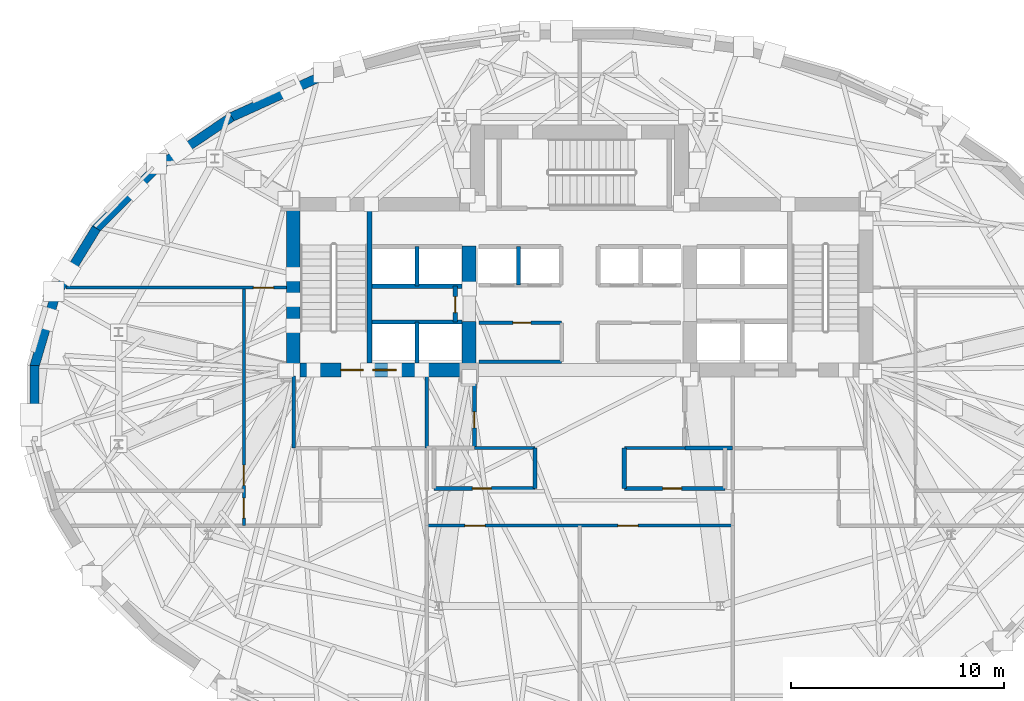
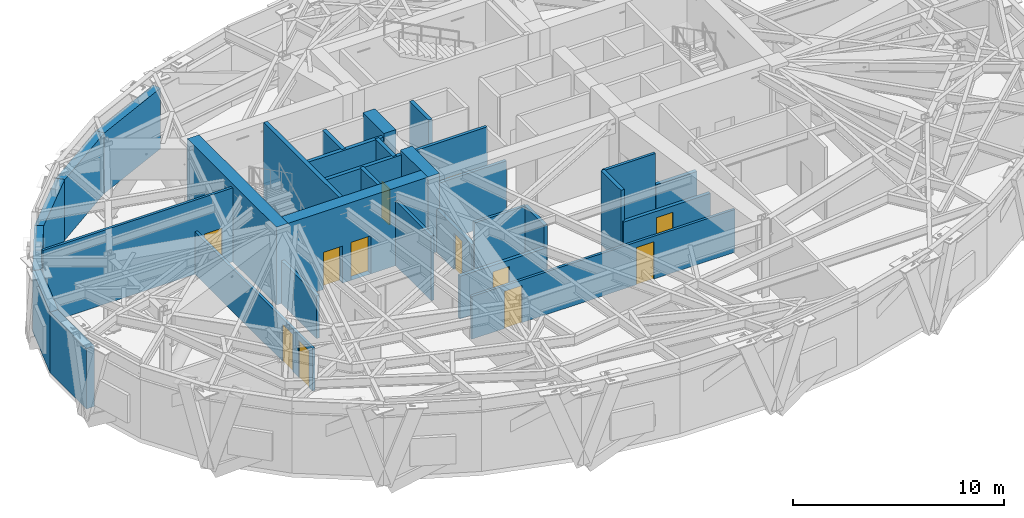
# One storey, part 7 of 13: 32 walls, 12 doors, 12 openings.
"""IFC4 building model written with IfcOpenShell, lengths in metres."""

from ifc_helpers import new_model, si_unit, direction, frame, frame_2d, origin, place, context, subcontext, project, spatial, rectangle, extrude, material, layer, layer_set, type_object, element, fill, save


model = new_model("IFC4")

# Units and contexts
model_context = context("Model", 3, precision=1e-05, world=origin(), true_north=direction((0.0, 1.0)))
body_context = subcontext(model_context, "Body", "Model", "MODEL_VIEW")
ifc_project = project(units=[si_unit("LENGTHUNIT", "METRE"), si_unit("AREAUNIT", "SQUARE_METRE"), si_unit("VOLUMEUNIT", "CUBIC_METRE"), si_unit("PLANEANGLEUNIT", "RADIAN"), si_unit("MASSUNIT", "GRAM", prefix="KILO")], contexts=[model_context])

# Site, building, storey
site_placement = place(None, origin())
site = spatial("IfcSite", under=ifc_project, at=site_placement, CompositionType="ELEMENT")
building_placement = place(site_placement, origin())
building = spatial("IfcBuilding", under=site, at=building_placement, Name="Keldmark Tower", CompositionType="ELEMENT")
storey_placement = place(building_placement, frame((0.0, 0.0, 135.10009765625)))
storey = spatial("IfcBuildingStorey", under=building, at=storey_placement, Name="L36", CompositionType="ELEMENT", Elevation=135.10009765625)

# Wall, openings, doors
ifc_material_1 = material(Name="Acoustic Double-Layer Gypsum Corridor Partition", Category="gypsum")
ifc_layer_1 = layer(ifc_material_1, 0.139892578125)
ifc_layer_set_1 = layer_set([ifc_layer_1], Name="Acoustic Double-Layer Gypsum Corridor Partition")
wall_type_1 = type_object("IfcWallType", Name="Acoustic Corridor Partition 140 mm", PredefinedType="PARTITIONING", material=ifc_layer_set_1)
wall_1_placement = place(storey_placement, frame((-7.199951171875, -5.800048828125, 0.0), z_axis=(0.0, 0.0, 1.0), x_axis=(1.0, 0.0, 0.0)))
wall_1 = element("IfcWall", 1, at=wall_1_placement, inside=storey, type_object=wall_type_1, Name="L36 Acoustic Corridor Partition 140 mm PCOR-CS", PredefinedType="PARTITIONING", context=body_context, shape_type="SweptSolid", body=[
    extrude(rectangle(XDim=14.39990234375, YDim=0.139892578125, at=frame_2d((7.199951171875, 0.0))), origin(), (0.0, 0.0, 1.0), 2.469970703125),
])
opening_1_placement = place(wall_1_placement, frame((1.800048828125, 0.0, 0.0)))
opening_1 = element("IfcOpeningElement", 2, at=opening_1_placement, cuts=wall_1, Name="Opening D-AWC95", PredefinedType="OPENING", context=body_context, shape_type="SweptSolid", body=[
    extrude(rectangle(XDim=0.949951171875, YDim=2.14990234375, at=frame_2d((0.47509765625, 1.074951171875))), frame((0.0, 0.079833984375, 0.0), z_axis=(0.0, -1.0, 0.0), x_axis=(1.0, 0.0, 0.0)), (0.0, 0.0, 1.0), 0.159912109375),
])
opening_2_placement = place(wall_1_placement, frame((9.0, 0.0, 0.0)))
opening_2 = element("IfcOpeningElement", 3, at=opening_2_placement, cuts=wall_1, Name="Opening D-AWC95", PredefinedType="OPENING", context=body_context, shape_type="SweptSolid", body=[
    extrude(rectangle(XDim=0.949951171875, YDim=2.14990234375, at=frame_2d((0.47509765625, 1.074951171875))), frame((0.0, 0.079833984375, 0.0), z_axis=(0.0, -1.0, 0.0), x_axis=(1.0, 0.0, 0.0)), (0.0, 0.0, 1.0), 0.159912109375),
])
ifc_material_2 = material(Name="Painted Solid-Core Architectural Wood", Category="wood")
door_type_1 = type_object("IfcDoorType", Name="Accessible WC Door 950x2150", OperationType="NOTDEFINED", PredefinedType="DOOR", material=ifc_material_2)
door_1_placement = place(opening_1_placement, origin())
door_1 = element("IfcDoor", 4, at=door_1_placement, inside=storey, type_object=door_type_1, Name="L36 Accessible WC Door 950x2150 D-PLSC1-L36", OperationType="SINGLE_SWING_LEFT", OverallHeight=2.14990234375, OverallWidth=0.949951171875, PredefinedType="DOOR", context=body_context, shape_type="SweptSolid", body=[
    extrude(rectangle(XDim=0.949951171875, YDim=2.14990234375, at=frame_2d((0.47509765625, 1.074951171875))), frame((0.0, 0.02490234375, 0.0), z_axis=(0.0, -1.0, 0.0), x_axis=(1.0, 0.0, 0.0)), (0.0, 0.0, 1.0), 0.050048828125),
])
fill(opening_1, door_1)
door_2_placement = place(opening_2_placement, origin())
door_2 = element("IfcDoor", 5, at=door_2_placement, inside=storey, type_object=door_type_1, Name="L36 Accessible WC Door 950x2150 D-PLSC2-L36", OperationType="SINGLE_SWING_RIGHT", OverallHeight=2.14990234375, OverallWidth=0.949951171875, PredefinedType="DOOR", context=body_context, shape_type="SweptSolid", body=[
    extrude(rectangle(XDim=0.949951171875, YDim=2.14990234375, at=frame_2d((0.47509765625, 1.074951171875))), frame((0.0, 0.02490234375, 0.0), z_axis=(0.0, -1.0, 0.0), x_axis=(1.0, 0.0, 0.0)), (0.0, 0.0, 1.0), 0.050048828125),
])
fill(opening_2, door_2)

wall_2_placement = place(storey_placement, frame((-15.800048828125, -5.800048828125, 0.0), z_axis=(0.0, 0.0, 1.0), x_axis=(0.0, 1.0, 0.0)))
wall_2 = element("IfcWall", 6, at=wall_2_placement, inside=storey, type_object=wall_type_1, Name="L36 Acoustic Corridor Partition 140 mm PCOR-W", PredefinedType="PARTITIONING", context=body_context, shape_type="SweptSolid", body=[
    extrude(rectangle(XDim=11.199951171875, YDim=0.139892578125, at=frame_2d((5.60009765625, 0.0))), origin(), (0.0, 0.0, 1.0), 2.469970703125),
])
opening_3_placement = place(wall_2_placement, frame((0.35009765625, 0.0, 0.0)))
opening_3 = element("IfcOpeningElement", 7, at=opening_3_placement, cuts=wall_2, Name="Opening D-AWC95", PredefinedType="OPENING", context=body_context, shape_type="SweptSolid", body=[
    extrude(rectangle(XDim=0.949951171875, YDim=2.14990234375, at=frame_2d((0.47509765625, 1.074951171875))), frame((0.0, 0.079833984375, 0.0), z_axis=(0.0, -1.0, 0.0), x_axis=(1.0, 0.0, 0.0)), (0.0, 0.0, 1.0), 0.159912109375),
])
opening_4_placement = place(wall_2_placement, frame((1.89990234375, 0.0, 0.0)))
opening_4 = element("IfcOpeningElement", 8, at=opening_4_placement, cuts=wall_2, Name="Opening D-AWC95", PredefinedType="OPENING", context=body_context, shape_type="SweptSolid", body=[
    extrude(rectangle(XDim=0.949951171875, YDim=2.14990234375, at=frame_2d((0.47509765625, 1.074951171875))), frame((0.0, 0.079833984375, 0.0), z_axis=(0.0, -1.0, 0.0), x_axis=(1.0, 0.0, 0.0)), (0.0, 0.0, 1.0), 0.159912109375),
])
door_3_placement = place(opening_3_placement, origin())
door_3 = element("IfcDoor", 9, at=door_3_placement, inside=storey, type_object=door_type_1, Name="L36 Accessible WC Door 950x2150 D-PLW1-L36", OperationType="SINGLE_SWING_LEFT", OverallHeight=2.14990234375, OverallWidth=0.949951171875, PredefinedType="DOOR", context=body_context, shape_type="SweptSolid", body=[
    extrude(rectangle(XDim=0.949951171875, YDim=2.14990234375, at=frame_2d((0.47509765625, 1.074951171875))), frame((0.0, 0.02490234375, 0.0), z_axis=(0.0, -1.0, 0.0), x_axis=(1.0, 0.0, 0.0)), (0.0, 0.0, 1.0), 0.050048828125),
])
fill(opening_3, door_3)
door_4_placement = place(opening_4_placement, origin())
door_4 = element("IfcDoor", 10, at=door_4_placement, inside=storey, type_object=door_type_1, Name="L36 Accessible WC Door 950x2150 D-PLW2-L36", OperationType="SINGLE_SWING_RIGHT", OverallHeight=2.14990234375, OverallWidth=0.949951171875, PredefinedType="DOOR", context=body_context, shape_type="SweptSolid", body=[
    extrude(rectangle(XDim=0.949951171875, YDim=2.14990234375, at=frame_2d((0.47509765625, 1.074951171875))), frame((0.0, 0.02490234375, 0.0), z_axis=(0.0, -1.0, 0.0), x_axis=(1.0, 0.0, 0.0)), (0.0, 0.0, 1.0), 0.050048828125),
])
fill(opening_4, door_4)

# Wall, opening, door
wall_3_placement = place(storey_placement, frame((-24.18115234375, 5.39990234375, 0.0), z_axis=(0.0, 0.0, 1.0), x_axis=(1.0, 0.0, 0.0)))
wall_3 = element("IfcWall", 11, at=wall_3_placement, inside=storey, type_object=wall_type_1, Name="L36 Acoustic Corridor Partition 140 mm PCOR-WN", PredefinedType="PARTITIONING", context=body_context, shape_type="SweptSolid", body=[
    extrude(rectangle(XDim=10.381103515625, YDim=0.139892578125, at=frame_2d((5.1904296875, 0.0))), origin(), (0.0, 0.0, 1.0), 4.27978515625),
])
opening_5_placement = place(wall_3_placement, frame((8.831298828125, 0.0, 0.0)))
opening_5 = element("IfcOpeningElement", 12, at=opening_5_placement, cuts=wall_3, Name="Opening D-AWC95", PredefinedType="OPENING", context=body_context, shape_type="SweptSolid", body=[
    extrude(rectangle(XDim=0.949951171875, YDim=2.14990234375, at=frame_2d((0.47509765625, 1.074951171875))), frame((0.0, 0.079833984375, 0.0), z_axis=(0.0, -1.0, 0.0), x_axis=(1.0, 0.0, 0.0)), (0.0, 0.0, 1.0), 0.159912109375),
])
door_5_placement = place(opening_5_placement, origin())
door_5 = element("IfcDoor", 13, at=door_5_placement, inside=storey, type_object=door_type_1, Name="L36 Accessible WC Door 950x2150 D-NRNW-L36", OperationType="SINGLE_SWING_LEFT", OverallHeight=2.14990234375, OverallWidth=0.949951171875, PredefinedType="DOOR", context=body_context, shape_type="SweptSolid", body=[
    extrude(rectangle(XDim=0.949951171875, YDim=2.14990234375, at=frame_2d((0.47509765625, 1.074951171875))), frame((0.0, 0.02490234375, 0.0), z_axis=(0.0, -1.0, 0.0), x_axis=(1.0, 0.0, 0.0)), (0.0, 0.0, 1.0), 0.050048828125),
])
fill(opening_5, door_5)

ifc_material_3 = material(Name="Heavy Acoustic Plumbing Chase Gypsum Assembly", Category="gypsum")
ifc_layer_2 = layer(ifc_material_3, 0.18994140625)
ifc_layer_set_2 = layer_set([ifc_layer_2], Name="Heavy Acoustic Plumbing Chase Gypsum Assembly")
wall_type_2 = type_object("IfcWallType", Name="Heavy Wet Wall 190 mm", PredefinedType="PLUMBINGWALL", material=ifc_layer_set_2)
wall_4_placement = place(storey_placement, frame((-6.85009765625, -4.050048828125, 0.0), z_axis=(0.0, 0.0, 1.0), x_axis=(1.0, 0.0, 0.0)))
wall_4 = element("IfcWall", 14, at=wall_4_placement, inside=storey, type_object=wall_type_2, Name="L36 Heavy Wet Wall 190 mm SPK-W-S", PredefinedType="PLUMBINGWALL", context=body_context, shape_type="SweptSolid", body=[
    extrude(rectangle(XDim=4.75, YDim=0.18994140625, at=frame_2d((2.375, 0.0))), origin(), (0.0, 0.0, 1.0), 2.469970703125),
])
opening_6_placement = place(wall_4_placement, frame((1.800048828125, 0.0, 0.0)))
opening_6 = element("IfcOpeningElement", 15, at=opening_6_placement, cuts=wall_4, Name="Opening D-IN090", PredefinedType="OPENING", context=body_context, shape_type="SweptSolid", body=[
    extrude(rectangle(XDim=0.89990234375, YDim=2.10009765625, at=frame_2d((0.449951171875, 1.050048828125))), frame((0.0, 0.10498046875, 0.0), z_axis=(0.0, -1.0, 0.0), x_axis=(1.0, 0.0, 0.0)), (0.0, 0.0, 1.0), 0.2099609375),
])
ifc_material_4 = material(Name="Stained American White Oak Veneer", Category="wood")
door_type_2 = type_object("IfcDoorType", Name="Interior Door 900x2100", OperationType="NOTDEFINED", PredefinedType="DOOR", material=ifc_material_4)
door_6_placement = place(opening_6_placement, origin())
door_6 = element("IfcDoor", 16, at=door_6_placement, inside=storey, type_object=door_type_2, Name="L36 Interior Door 900x2100 D-SPKW1-L36", OperationType="SINGLE_SWING_LEFT", OverallHeight=2.10009765625, OverallWidth=0.89990234375, PredefinedType="DOOR", context=body_context, shape_type="SweptSolid", body=[
    extrude(rectangle(XDim=0.89990234375, YDim=2.10009765625, at=frame_2d((0.449951171875, 1.050048828125))), frame((0.0, 0.02490234375, 0.0), z_axis=(0.0, -1.0, 0.0), x_axis=(1.0, 0.0, 0.0)), (0.0, 0.0, 1.0), 0.050048828125),
])
fill(opening_6, door_6)

# Wall
wall_5_placement = place(storey_placement, frame((-2.10009765625, -4.050048828125, 0.0), z_axis=(0.0, 0.0, 1.0), x_axis=(0.0, 1.0, 0.0)))
element("IfcWall", 17, at=wall_5_placement, inside=storey, type_object=wall_type_2, Name="L36 Heavy Wet Wall 190 mm SPK-W-E", PredefinedType="PLUMBINGWALL", context=body_context, shape_type="SweptSolid", body=[
    extrude(rectangle(XDim=1.900146484375, YDim=0.18994140625, at=frame_2d((0.9501953125, 0.0))), origin(), (0.0, 0.0, 1.0), 3.73291015625),
])

# Wall, opening, door
wall_6_placement = place(storey_placement, frame((2.10009765625, -4.050048828125, 0.0), z_axis=(0.0, 0.0, 1.0), x_axis=(1.0, 0.0, 0.0)))
wall_6 = element("IfcWall", 18, at=wall_6_placement, inside=storey, type_object=wall_type_2, Name="L36 Heavy Wet Wall 190 mm SPK-E-S", PredefinedType="PLUMBINGWALL", context=body_context, shape_type="SweptSolid", body=[
    extrude(rectangle(XDim=4.75, YDim=0.18994140625, at=frame_2d((2.375, 0.0))), origin(), (0.0, 0.0, 1.0), 2.469970703125),
])
opening_7_placement = place(wall_6_placement, frame((1.800048828125, 0.0, 0.0)))
opening_7 = element("IfcOpeningElement", 19, at=opening_7_placement, cuts=wall_6, Name="Opening D-IN090", PredefinedType="OPENING", context=body_context, shape_type="SweptSolid", body=[
    extrude(rectangle(XDim=0.89990234375, YDim=2.10009765625, at=frame_2d((0.449951171875, 1.050048828125))), frame((0.0, 0.10498046875, 0.0), z_axis=(0.0, -1.0, 0.0), x_axis=(1.0, 0.0, 0.0)), (0.0, 0.0, 1.0), 0.2099609375),
])
door_7_placement = place(opening_7_placement, origin())
door_7 = element("IfcDoor", 20, at=door_7_placement, inside=storey, type_object=door_type_2, Name="L36 Interior Door 900x2100 D-SPKE1-L36", OperationType="SINGLE_SWING_RIGHT", OverallHeight=2.10009765625, OverallWidth=0.89990234375, PredefinedType="DOOR", context=body_context, shape_type="SweptSolid", body=[
    extrude(rectangle(XDim=0.89990234375, YDim=2.10009765625, at=frame_2d((0.449951171875, 1.050048828125))), frame((0.0, 0.02490234375, 0.0), z_axis=(0.0, -1.0, 0.0), x_axis=(1.0, 0.0, 0.0)), (0.0, 0.0, 1.0), 0.050048828125),
])
fill(opening_7, door_7)

# Walls
wall_7_placement = place(storey_placement, frame((2.10009765625, -4.050048828125, 0.0), z_axis=(0.0, 0.0, 1.0), x_axis=(0.0, 1.0, 0.0)))
element("IfcWall", 21, at=wall_7_placement, inside=storey, type_object=wall_type_2, Name="L36 Heavy Wet Wall 190 mm SPK-E-W", PredefinedType="PLUMBINGWALL", context=body_context, shape_type="SweptSolid", body=[
    extrude(rectangle(XDim=1.900146484375, YDim=0.18994140625, at=frame_2d((0.9501953125, 0.0))), origin(), (0.0, 0.0, 1.0), 4.27978515625),
])
ifc_material_5 = material(Name="Type X Fire-Rated Gypsum Partition Assembly", Category="gypsum")
ifc_layer_3 = layer(ifc_material_5, 0.1650390625)
ifc_layer_set_3 = layer_set([ifc_layer_3], Name="Type X Fire-Rated Gypsum Partition Assembly")
wall_type_3 = type_object("IfcWallType", Name="Rated Partition 165 mm", PredefinedType="PARTITIONING", material=ifc_layer_set_3)
wall_8_placement = place(storey_placement, frame((-13.449951171875, -2.14990234375, 0.0), z_axis=(0.0, 0.0, 1.0), x_axis=(0.0, 1.0, 0.0)))
element("IfcWall", 22, at=wall_8_placement, inside=storey, type_object=wall_type_3, Name="L36 Rated Partition 165 mm FSAE-W-W", PredefinedType="PARTITIONING", context=body_context, shape_type="SweptSolid", body=[
    extrude(rectangle(XDim=3.39990234375, YDim=0.1650390625, at=frame_2d((1.699951171875, 0.0))), origin(), (0.0, 0.0, 1.0), 2.469970703125),
])
wall_9_placement = place(storey_placement, frame((-7.199951171875, -2.14990234375, 0.0), z_axis=(0.0, 0.0, 1.0), x_axis=(0.0, 1.0, 0.0)))
element("IfcWall", 23, at=wall_9_placement, inside=storey, type_object=wall_type_3, Name="L36 Rated Partition 165 mm FSAE-W-E", PredefinedType="PARTITIONING", context=body_context, shape_type="SweptSolid", body=[
    extrude(rectangle(XDim=3.39990234375, YDim=0.1650390625, at=frame_2d((1.699951171875, 0.0))), origin(), (0.0, 0.0, 1.0), 3.73291015625),
])
wall_10_placement = place(storey_placement, frame((-4.739990234375, 1.919921875, 0.0), z_axis=(0.0, 0.0, 1.0), x_axis=(1.0, 0.0, 0.0)))
element("IfcWall", 24, at=wall_10_placement, inside=storey, type_object=wall_type_3, Name="L36 Rated Partition 165 mm REC-LW-S", PredefinedType="PARTITIONING", context=body_context, shape_type="SweptSolid", body=[
    extrude(rectangle(XDim=3.889892578125, YDim=0.1650390625, at=frame_2d((1.94482421875, 0.0))), origin(), (0.0, 0.0, 1.0), 3.419921875),
])

# Wall, opening, door
wall_11_placement = place(storey_placement, frame((-4.739990234375, 3.739990234375, 0.0), z_axis=(0.0, 0.0, 1.0), x_axis=(1.0, 0.0, 0.0)))
wall_11 = element("IfcWall", 25, at=wall_11_placement, inside=storey, type_object=wall_type_3, Name="L36 Rated Partition 165 mm REC-LW-N", PredefinedType="PARTITIONING", context=body_context, shape_type="SweptSolid", body=[
    extrude(rectangle(XDim=3.889892578125, YDim=0.1650390625, at=frame_2d((1.94482421875, 0.0))), origin(), (0.0, 0.0, 1.0), 4.27978515625),
])
opening_8_placement = place(wall_11_placement, frame((1.60009765625, 0.0, 0.0)))
opening_8 = element("IfcOpeningElement", 26, at=opening_8_placement, cuts=wall_11, Name="Opening D-SV085", PredefinedType="OPENING", context=body_context, shape_type="SweptSolid", body=[
    extrude(rectangle(XDim=0.85009765625, YDim=2.10009765625, at=frame_2d((0.425048828125, 1.050048828125))), frame((0.0, 0.092529296875, 0.0), z_axis=(0.0, -1.0, 0.0), x_axis=(1.0, 0.0, 0.0)), (0.0, 0.0, 1.0), 0.18505859375),
])
ifc_material_6 = material(Name="Painted Hollow Metal Door Assembly", Category="metal")
door_type_3 = type_object("IfcDoorType", Name="Service Door 850x2100", OperationType="NOTDEFINED", PredefinedType="DOOR", material=ifc_material_6)
door_8_placement = place(opening_8_placement, origin())
door_8 = element("IfcDoor", 27, at=door_8_placement, inside=storey, type_object=door_type_3, Name="L36 Service Door 850x2100 D-RECLW1-L36", OperationType="SINGLE_SWING_LEFT", OverallHeight=2.10009765625, OverallWidth=0.85009765625, PredefinedType="DOOR", context=body_context, shape_type="SweptSolid", body=[
    extrude(rectangle(XDim=0.85009765625, YDim=2.10009765625, at=frame_2d((0.425048828125, 1.050048828125))), frame((0.0, 0.02490234375, 0.0), z_axis=(0.0, -1.0, 0.0), x_axis=(1.0, 0.0, 0.0)), (0.0, 0.0, 1.0), 0.050048828125),
])
fill(opening_8, door_8)

ifc_material_7 = material(Name="Fire-Resistant Type X Gypsum Shaftliner Coreboard", Category="gypsum")
ifc_layer_4 = layer(ifc_material_7, 0.199951171875)
ifc_layer_set_4 = layer_set([ifc_layer_4], Name="Fire-Resistant Type X Gypsum Shaftliner Coreboard")
wall_type_4 = type_object("IfcWallType", Name="Shaft Wall 200 mm", PredefinedType="SOLIDWALL", material=ifc_layer_set_4)
wall_12_placement = place(storey_placement, frame((-4.949951171875, -2.14990234375, 0.0), z_axis=(0.0, 0.0, 1.0), x_axis=(0.0, 1.0, 0.0)))
wall_12 = element("IfcWall", 28, at=wall_12_placement, inside=storey, type_object=wall_type_4, Name="L36 Shaft Wall 200 mm RIS-SW-E", PredefinedType="SOLIDWALL", context=body_context, shape_type="SweptSolid", body=[
    extrude(rectangle(XDim=3.39990234375, YDim=0.199951171875, at=frame_2d((1.699951171875, 0.0))), origin(), (0.0, 0.0, 1.0), 2.469970703125),
])
opening_9_placement = place(wall_12_placement, frame((0.949951171875, 0.0, 0.0)))
opening_9 = element("IfcOpeningElement", 29, at=opening_9_placement, cuts=wall_12, Name="Opening D-RS075", PredefinedType="OPENING", context=body_context, shape_type="SweptSolid", body=[
    extrude(rectangle(XDim=0.75, YDim=2.10009765625, at=frame_2d((0.375, 1.050048828125))), frame((0.0, 0.10986328125, 0.0), z_axis=(0.0, -1.0, 0.0), x_axis=(1.0, 0.0, 0.0)), (0.0, 0.0, 1.0), 0.219970703125),
])
ifc_material_8 = material(Name="Galvanized Fire-Rated Access Leaf", Category="metal")
door_type_4 = type_object("IfcDoorType", Name="Riser Access Door 750x2100", OperationType="NOTDEFINED", PredefinedType="DOOR", material=ifc_material_8)
door_9_placement = place(opening_9_placement, origin())
door_9 = element("IfcDoor", 30, at=door_9_placement, inside=storey, type_object=door_type_4, Name="L36 Riser Access Door 750x2100 D-RISSW-L36", OperationType="SINGLE_SWING_RIGHT", OverallHeight=2.10009765625, OverallWidth=0.75, PredefinedType="DOOR", context=body_context, shape_type="SweptSolid", body=[
    extrude(rectangle(XDim=0.75, YDim=2.10009765625, at=frame_2d((0.375, 1.050048828125))), frame((0.0, 0.02490234375, 0.0), z_axis=(0.0, -1.0, 0.0), x_axis=(1.0, 0.0, 0.0)), (0.0, 0.0, 1.0), 0.050048828125),
])
fill(opening_9, door_9)

# Walls
wall_13_placement = place(storey_placement, frame((4.949951171875, -2.14990234375, 0.0), z_axis=(0.0, 0.0, 1.0), x_axis=(1.0, 0.0, 0.0)))
element("IfcWall", 31, at=wall_13_placement, inside=storey, type_object=wall_type_4, Name="L36 Shaft Wall 200 mm RIS-SE-S", PredefinedType="SOLIDWALL", context=body_context, shape_type="SweptSolid", body=[
    extrude(rectangle(XDim=2.25, YDim=0.199951171875, at=frame_2d((1.125, 0.0))), origin(), (0.0, 0.0, 1.0), 2.469970703125),
])
wall_14_placement = place(storey_placement, frame((-9.780029296875, 3.780029296875, 0.0), z_axis=(0.0, 0.0, 1.0), x_axis=(1.0, 0.0, 0.0)))
element("IfcWall", 32, at=wall_14_placement, inside=storey, type_object=wall_type_4, Name="L36 Shaft Wall 200 mm HW-W-S", PredefinedType="SOLIDWALL", context=body_context, shape_type="SweptSolid", body=[
    extrude(rectangle(XDim=4.255126953125, YDim=0.199951171875, at=frame_2d((2.12744140625, 0.0))), origin(), (0.0, 0.0, 1.0), 4.27978515625),
])
wall_15_placement = place(storey_placement, frame((-7.64990234375, 1.85009765625, 0.0), z_axis=(0.0, 0.0, 1.0), x_axis=(0.0, 1.0, 0.0)))
element("IfcWall", 33, at=wall_15_placement, inside=storey, type_object=wall_type_4, Name="L36 Shaft Wall 200 mm HW-W-M", PredefinedType="SOLIDWALL", context=body_context, shape_type="SweptSolid", body=[
    extrude(rectangle(XDim=1.929931640625, YDim=0.199951171875, at=frame_2d((0.96484375, 0.0))), origin(), (0.0, 0.0, 1.0), 4.27978515625),
])
wall_16_placement = place(storey_placement, frame((-9.780029296875, 5.469970703125, 0.0), z_axis=(0.0, 0.0, 1.0), x_axis=(1.0, 0.0, 0.0)))
element("IfcWall", 34, at=wall_16_placement, inside=storey, type_object=wall_type_4, Name="L36 Shaft Wall 200 mm HW-W-N", PredefinedType="SOLIDWALL", context=body_context, shape_type="SweptSolid", body=[
    extrude(rectangle(XDim=4.255126953125, YDim=0.199951171875, at=frame_2d((2.12744140625, 0.0))), origin(), (0.0, 0.0, 1.0), 4.27978515625),
])
wall_17_placement = place(storey_placement, frame((-7.64990234375, 5.469970703125, 0.0), z_axis=(0.0, 0.0, 1.0), x_axis=(0.0, 1.0, 0.0)))
element("IfcWall", 35, at=wall_17_placement, inside=storey, type_object=wall_type_4, Name="L36 Shaft Wall 200 mm HW-W-NM", PredefinedType="SOLIDWALL", context=body_context, shape_type="SweptSolid", body=[
    extrude(rectangle(XDim=1.860107421875, YDim=0.199951171875, at=frame_2d((0.93017578125, 0.0))), origin(), (0.0, 0.0, 1.0), 4.27978515625),
])

# Wall, opening, door
wall_18_placement = place(storey_placement, frame((-5.85009765625, 3.780029296875, 0.0), z_axis=(0.0, 0.0, 1.0), x_axis=(0.0, 1.0, 0.0)))
wall_18 = element("IfcWall", 36, at=wall_18_placement, inside=storey, type_object=wall_type_4, Name="L36 Shaft Wall 200 mm HW-W-CLOSE", PredefinedType="SOLIDWALL", context=body_context, shape_type="SweptSolid", body=[
    extrude(rectangle(XDim=1.68994140625, YDim=0.199951171875, at=frame_2d((0.844970703125, 0.0))), origin(), (0.0, 0.0, 1.0), 4.27978515625),
])
opening_10_placement = place(wall_18_placement, frame((0.449951171875, 0.0, 0.0)))
opening_10 = element("IfcOpeningElement", 37, at=opening_10_placement, cuts=wall_18, Name="Opening D-RS075", PredefinedType="OPENING", context=body_context, shape_type="SweptSolid", body=[
    extrude(rectangle(XDim=0.75, YDim=2.10009765625, at=frame_2d((0.375, 1.050048828125))), frame((0.0, 0.10986328125, 0.0), z_axis=(0.0, -1.0, 0.0), x_axis=(1.0, 0.0, 0.0)), (0.0, 0.0, 1.0), 0.219970703125),
])
door_10_placement = place(opening_10_placement, origin())
door_10 = element("IfcDoor", 38, at=door_10_placement, inside=storey, type_object=door_type_4, Name="L36 Riser Access Door 750x2100 D-RISHW-L36", OperationType="SINGLE_SWING_RIGHT", OverallHeight=2.10009765625, OverallWidth=0.75, PredefinedType="DOOR", context=body_context, shape_type="SweptSolid", body=[
    extrude(rectangle(XDim=0.75, YDim=2.10009765625, at=frame_2d((0.375, 1.050048828125))), frame((0.0, 0.02490234375, 0.0), z_axis=(0.0, -1.0, 0.0), x_axis=(1.0, 0.0, 0.0)), (0.0, 0.0, 1.0), 0.050048828125),
])
fill(opening_10, door_10)

# Walls
wall_19_placement = place(storey_placement, frame((-2.8798828125, 5.52001953125, 0.0), z_axis=(0.0, 0.0, 1.0), x_axis=(0.0, 1.0, 0.0)))
element("IfcWall", 39, at=wall_19_placement, inside=storey, type_object=wall_type_4, Name="L36 Shaft Wall 200 mm MID-M-W", PredefinedType="SOLIDWALL", context=body_context, shape_type="SweptSolid", body=[
    extrude(rectangle(XDim=1.81005859375, YDim=0.199951171875, at=frame_2d((0.905029296875, 0.0))), origin(), (0.0, 0.0, 1.0), 4.27978515625),
])
ifc_material_9 = material(Name="Concrete C50/60", Category="concrete")
ifc_layer_5 = layer(ifc_material_9, 0.219970703125)
ifc_layer_set_5 = layer_set([ifc_layer_5], Name="Concrete C50/60")
wall_type_5 = type_object("IfcWallType", Name="Stair Core Shear Wall 220 mm", PredefinedType="SHEAR", material=ifc_layer_set_5)
wall_20_placement = place(storey_placement, frame((-9.889892578125, 1.85009765625, 0.0), z_axis=(0.0, 0.0, 1.0), x_axis=(0.0, 1.0, 0.0)))
element("IfcWall", 40, at=wall_20_placement, inside=storey, type_object=wall_type_5, Name="L36 West Stair Core Shear Wall", PredefinedType="SHEAR", context=body_context, shape_type="SweptSolid", body=[
    extrude(rectangle(XDim=7.14990234375, YDim=0.219970703125, at=frame_2d((3.574951171875, 0.0))), origin(), (0.0, 0.0, 1.0), 4.5),
])
ifc_material_10 = material(Name="Ironspot Manganese Brick and Kasota Buff Limestone Spandrel Assembly", Category="masonry")
ifc_layer_6 = layer(ifc_material_10, 0.43994140625)
ifc_layer_set_6 = layer_set([ifc_layer_6], Name="Ironspot Manganese Brick and Kasota Buff Limestone Spandrel Assembly")
wall_type_6 = type_object("IfcWallType", Name="Tower Brick Pier and Spandrel Wall 440 mm", PredefinedType="STANDARD", material=ifc_layer_set_6)
wall_21_placement = place(storey_placement, frame((-16.4033203125, 13.419921875, 0.0), z_axis=(0.0, 0.0, 1.0), x_axis=(0.910938924115, 0.412541242221, 0.0)))
element("IfcWall", 41, at=wall_21_placement, inside=storey, type_object=wall_type_6, Name="L36 Exterior Brick and Spandrel Wall 11", PredefinedType="STANDARD", context=body_context, shape_type="SweptSolid", body=[
    extrude(rectangle(XDim=4.652099609375, YDim=0.43994140625, at=frame_2d((2.326171875, 0.0))), origin(), (0.0, 0.0, 1.0), 3.497802734375),
])
wall_22_placement = place(storey_placement, frame((-19.974853515625, 10.995849609375, 0.0), z_axis=(0.0, 0.0, 1.0), x_axis=(0.827816201219, 0.56099940909, 0.0)))
element("IfcWall", 42, at=wall_22_placement, inside=storey, type_object=wall_type_6, Name="L36 Exterior Brick and Spandrel Wall 12", PredefinedType="STANDARD", context=body_context, shape_type="SweptSolid", body=[
    extrude(rectangle(XDim=4.353515625, YDim=0.43994140625, at=frame_2d((2.1767578125, 0.0))), origin(), (0.0, 0.0, 1.0), 3.497802734375),
])
wall_23_placement = place(storey_placement, frame((-22.773193359375, 8.151611328125, 0.0), z_axis=(0.0, 0.0, 1.0), x_axis=(0.702094935552, 0.712083352897, 0.0)))
element("IfcWall", 43, at=wall_23_placement, inside=storey, type_object=wall_type_6, Name="L36 Exterior Brick and Spandrel Wall 13", PredefinedType="STANDARD", context=body_context, shape_type="SweptSolid", body=[
    extrude(rectangle(XDim=4.032958984375, YDim=0.43994140625, at=frame_2d((2.0166015625, 0.0))), origin(), (0.0, 0.0, 1.0), 3.497802734375),
])
wall_24_placement = place(storey_placement, frame((-24.692626953125, 5.0, 0.0), z_axis=(0.0, 0.0, 1.0), x_axis=(0.521476412293, 0.853265698022, 0.0)))
element("IfcWall", 44, at=wall_24_placement, inside=storey, type_object=wall_type_6, Name="L36 Exterior Brick and Spandrel Wall 14", PredefinedType="STANDARD", context=body_context, shape_type="SweptSolid", body=[
    extrude(rectangle(XDim=3.740234375, YDim=0.43994140625, at=frame_2d((1.8701171875, 0.0))), origin(), (0.0, 0.0, 1.0), 3.497802734375),
])
wall_25_placement = place(storey_placement, frame((-25.663818359375, 1.6650390625, 0.0), z_axis=(0.0, 0.0, 1.0), x_axis=(0.28170956188, 0.959499725245, 0.0)))
element("IfcWall", 45, at=wall_25_placement, inside=storey, type_object=wall_type_6, Name="L36 Exterior Brick and Spandrel Wall 15", PredefinedType="STANDARD", context=body_context, shape_type="SweptSolid", body=[
    extrude(rectangle(XDim=3.53076171875, YDim=0.43994140625, at=frame_2d((1.765380859375, 0.0))), origin(), (0.0, 0.0, 1.0), 3.497802734375),
])
wall_26_placement = place(storey_placement, frame((-25.65478515625, -1.72705078125, 0.0), z_axis=(0.0, 0.0, 1.0), x_axis=(0.0, 1.0, 0.0)))
element("IfcWall", 46, at=wall_26_placement, inside=storey, type_object=wall_type_6, Name="L36 Exterior Brick and Spandrel Wall 16", PredefinedType="STANDARD", context=body_context, shape_type="SweptSolid", body=[
    extrude(rectangle(XDim=3.4541015625, YDim=0.43994140625, at=frame_2d((1.72705078125, 0.0))), origin(), (0.0, 0.0, 1.0), 3.497802734375),
])
ifc_material_11 = material(Name="Concrete C50/60", Category="concrete")
ifc_layer_7 = layer(ifc_material_11, 0.64990234375)
ifc_layer_set_7 = layer_set([ifc_layer_7], Name="Concrete C50/60")
wall_type_7 = type_object("IfcWallType", Name="Upper-Mid Core Shear Wall 650 mm", PredefinedType="SHEAR", material=ifc_layer_set_7)
wall_27_placement = place(storey_placement, frame((-13.47509765625, 1.199951171875, 0.0), z_axis=(0.0, 0.0, 1.0), x_axis=(0.0, 1.0, 0.0)))
element("IfcWall", 47, at=wall_27_placement, inside=storey, type_object=wall_type_7, Name="L36 West Core Outer Shear Wall", PredefinedType="SHEAR", context=body_context, shape_type="SweptSolid", body=[
    extrude(rectangle(XDim=8.449951171875, YDim=0.64990234375, at=frame_2d((4.22509765625, 0.0))), origin(), (0.0, 0.0, 1.0), 4.5),
])

# Wall, openings, doors
wall_28_placement = place(storey_placement, frame((-4.875, 1.52490234375, 0.0), z_axis=(0.0, 0.0, 1.0), x_axis=(-1.0, 0.0, 0.0)))
wall_28 = element("IfcWall", 48, at=wall_28_placement, inside=storey, type_object=wall_type_7, Name="L36 West Core South Shear Wall", PredefinedType="SHEAR", context=body_context, shape_type="SweptSolid", body=[
    extrude(rectangle(XDim=8.925048828125, YDim=0.64990234375, at=frame_2d((4.46240234375, 0.0))), origin(), (0.0, 0.0, 1.0), 4.5),
])
opening_11_placement = place(wall_28_placement, frame((5.304931640625, 0.0, 0.0)))
opening_11 = element("IfcOpeningElement", 49, at=opening_11_placement, cuts=wall_28, Name="Opening D-ST105", PredefinedType="OPENING", context=body_context, shape_type="SweptSolid", body=[
    extrude(rectangle(XDim=1.050048828125, YDim=2.14990234375, at=frame_2d((0.52490234375, 1.074951171875))), frame((0.0, 0.3349609375, 0.0), z_axis=(0.0, -1.0, 0.0), x_axis=(1.0, 0.0, 0.0)), (0.0, 0.0, 1.0), 0.669921875),
])
opening_12_placement = place(wall_28_placement, frame((3.7548828125, 0.0, 0.0)))
opening_12 = element("IfcOpeningElement", 50, at=opening_12_placement, cuts=wall_28, Name="Opening LD-110", PredefinedType="OPENING", context=body_context, shape_type="SweptSolid", body=[
    extrude(rectangle(XDim=1.10009765625, YDim=2.199951171875, at=frame_2d((0.550048828125, 1.10009765625))), frame((0.0, 0.3349609375, 0.0), z_axis=(0.0, -1.0, 0.0), x_axis=(1.0, 0.0, 0.0)), (0.0, 0.0, 1.0), 0.669921875),
])
ifc_material_12 = material(Name="Brushed Bronze Hoistway Sliding Leaf", Category="metal")
door_type_5 = type_object("IfcDoorType", Name="Lift Landing Sliding Door 1100x2200", OperationType="SLIDING_TO_LEFT", PredefinedType="DOOR", material=ifc_material_12)
door_11_placement = place(opening_12_placement, origin())
door_11 = element("IfcDoor", 51, at=door_11_placement, inside=storey, type_object=door_type_5, Name="L36 Lift Landing Sliding Door 1100x2200 LD-EL-FS1-L36", OperationType="SLIDING_TO_LEFT", OverallHeight=2.199951171875, OverallWidth=1.10009765625, PredefinedType="DOOR", context=body_context, shape_type="SweptSolid", body=[
    extrude(rectangle(XDim=1.10009765625, YDim=2.199951171875, at=frame_2d((0.550048828125, 1.10009765625))), frame((0.0, 0.02490234375, 0.0), z_axis=(0.0, -1.0, 0.0), x_axis=(1.0, 0.0, 0.0)), (0.0, 0.0, 1.0), 0.050048828125),
])
fill(opening_12, door_11)
ifc_material_13 = material(Name="Hollow Metal Fire-Rated Door Assembly", Category="metal")
door_type_6 = type_object("IfcDoorType", Name="Stair Fire Door 1050x2150", OperationType="NOTDEFINED", PredefinedType="DOOR", material=ifc_material_13)
door_12_placement = place(opening_11_placement, origin())
door_12 = element("IfcDoor", 52, at=door_12_placement, inside=storey, type_object=door_type_6, Name="L36 Stair Fire Door 1050x2150 D-ST1-L36", OperationType="SINGLE_SWING_RIGHT", OverallHeight=2.14990234375, OverallWidth=1.050048828125, PredefinedType="DOOR", context=body_context, shape_type="SweptSolid", body=[
    extrude(rectangle(XDim=1.050048828125, YDim=2.14990234375, at=frame_2d((0.52490234375, 1.074951171875))), frame((0.0, 0.02490234375, 0.0), z_axis=(0.0, -1.0, 0.0), x_axis=(1.0, 0.0, 0.0)), (0.0, 0.0, 1.0), 0.050048828125),
])
fill(opening_11, door_12)

# Walls
wall_29_placement = place(storey_placement, frame((-5.199951171875, 1.199951171875, 0.0), z_axis=(0.0, 0.0, 1.0), x_axis=(0.0, 1.0, 0.0)))
element("IfcWall", 53, at=wall_29_placement, inside=storey, type_object=wall_type_7, Name="L36 West Core Inner Shear Pier South", PredefinedType="SHEAR", context=body_context, shape_type="SweptSolid", body=[
    extrude(rectangle(XDim=2.60009765625, YDim=0.64990234375, at=frame_2d((1.300048828125, 0.0))), origin(), (0.0, 0.0, 1.0), 4.5),
])
wall_30_placement = place(storey_placement, frame((-5.199951171875, 5.35009765625, 0.0), z_axis=(0.0, 0.0, 1.0), x_axis=(0.0, 1.0, 0.0)))
element("IfcWall", 54, at=wall_30_placement, inside=storey, type_object=wall_type_7, Name="L36 West Core Inner Shear Pier North", PredefinedType="SHEAR", context=body_context, shape_type="SweptSolid", body=[
    extrude(rectangle(XDim=2.0, YDim=0.64990234375, at=frame_2d((1.0, 0.0))), origin(), (0.0, 0.0, 1.0), 4.5),
])
ifc_material_14 = material(Name="Moisture-Resistant Gypsum Plumbing Partition", Category="gypsum")
ifc_layer_8 = layer(ifc_material_14, 0.14990234375)
ifc_layer_set_8 = layer_set([ifc_layer_8], Name="Moisture-Resistant Gypsum Plumbing Partition")
wall_type_8 = type_object("IfcWallType", Name="Wet Wall 150 mm", PredefinedType="PLUMBINGWALL", material=ifc_layer_set_8)
wall_31_placement = place(storey_placement, frame((-4.949951171875, -2.14990234375, 0.0), z_axis=(0.0, 0.0, 1.0), x_axis=(1.0, 0.0, 0.0)))
element("IfcWall", 55, at=wall_31_placement, inside=storey, type_object=wall_type_8, Name="L36 Wet Wall 150 mm SPK-W-N", PredefinedType="PLUMBINGWALL", context=body_context, shape_type="SweptSolid", body=[
    extrude(rectangle(XDim=2.849853515625, YDim=0.14990234375, at=frame_2d((1.4248046875, 0.0))), origin(), (0.0, 0.0, 1.0), 3.73291015625),
])
wall_32_placement = place(storey_placement, frame((2.10009765625, -2.14990234375, 0.0), z_axis=(0.0, 0.0, 1.0), x_axis=(1.0, 0.0, 0.0)))
element("IfcWall", 56, at=wall_32_placement, inside=storey, type_object=wall_type_8, Name="L36 Wet Wall 150 mm SPK-E-N", PredefinedType="PLUMBINGWALL", context=body_context, shape_type="SweptSolid", body=[
    extrude(rectangle(XDim=2.849853515625, YDim=0.14990234375, at=frame_2d((1.4248046875, 0.0))), origin(), (0.0, 0.0, 1.0), 4.27978515625),
])

save(model, "model.ifc")
